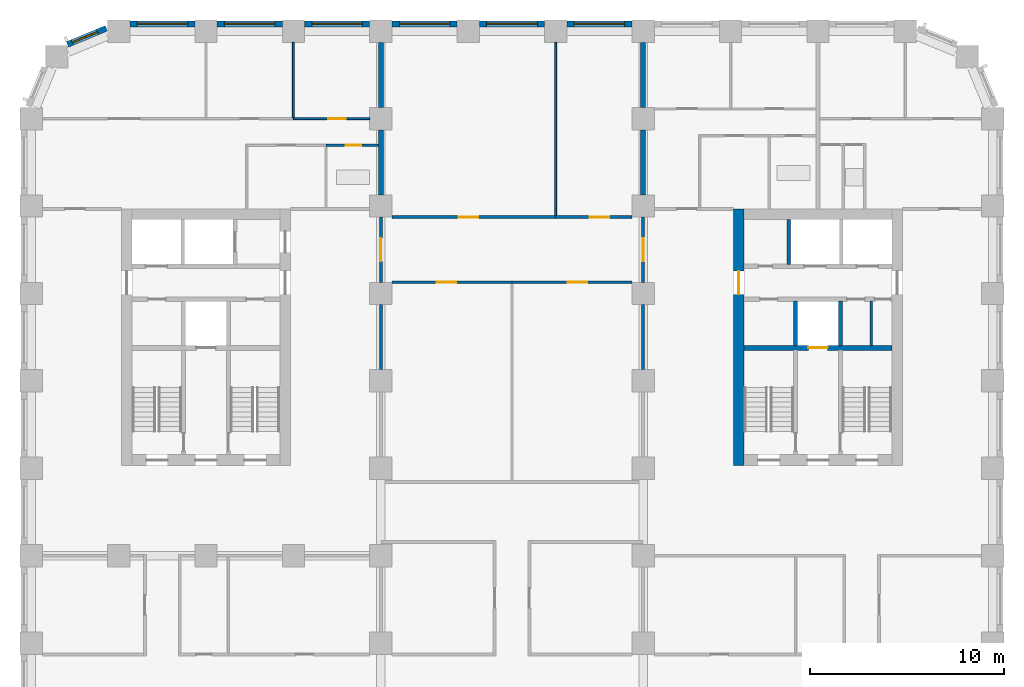
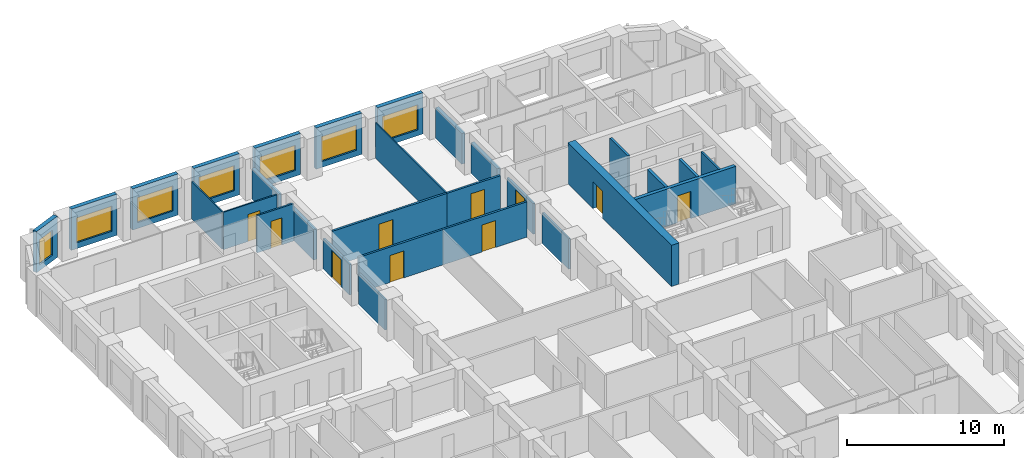
# One storey, part 7 of 12: 29 walls, 10 doors, 7 windows, 17 openings.
"""IFC4 building model written with IfcOpenShell, lengths in metres."""

from ifc_helpers import new_model, si_unit, direction, frame, frame_2d, origin, place, context, subcontext, project, spatial, rectangle, extrude, material, layer, layer_set, type_object, element, fill, save


model = new_model("IFC4")

# Units and contexts
model_context = context("Model", 3, precision=1e-05, world=origin(), true_north=direction((0.0, 1.0)))
body_context = subcontext(model_context, "Body", "Model", "MODEL_VIEW")
ifc_project = project(units=[si_unit("LENGTHUNIT", "METRE"), si_unit("AREAUNIT", "SQUARE_METRE"), si_unit("VOLUMEUNIT", "CUBIC_METRE"), si_unit("PLANEANGLEUNIT", "RADIAN"), si_unit("MASSUNIT", "GRAM", prefix="KILO")], contexts=[model_context])

# Site, building, storey
site_placement = place(None, origin())
site = spatial("IfcSite", under=ifc_project, at=site_placement, CompositionType="ELEMENT")
building_placement = place(site_placement, origin())
building = spatial("IfcBuilding", under=site, at=building_placement, Name="Girih Gate Residences", CompositionType="ELEMENT")
storey_placement = place(building_placement, frame((0.0, 0.0, 118.39990234375)))
storey = spatial("IfcBuildingStorey", under=building, at=storey_placement, Name="L33", CompositionType="ELEMENT", Elevation=118.39990234375)

# Walls
ifc_material_1 = material(Name="Gypsum board on steel studs", Category="steel")
ifc_layer_1 = layer(ifc_material_1, 0.25)
ifc_layer_set_1 = layer_set([ifc_layer_1], Name="Acoustic separating wall 250 mm")
wall_type_1 = type_object("IfcWallType", Name="Acoustic separating wall 250 mm", PredefinedType="PARTITIONING", material=ifc_layer_set_1)
for number, where, z_axis, x_axis, name in (
    (1, (18.0, 41.074951171875, 0.0), (0.0, 0.0, 1.0), (0.0, 1.0, 0.0), "L33 partition"),
    (2, (18.0, 45.574951171875, 0.0), (0.0, 0.0, 1.0), (0.0, 1.0, 0.0), "L33 partition"),
    (3, (31.5, 41.074951171875, 0.0), (0.0, 0.0, 1.0), (0.0, 1.0, 0.0), "L33 partition"),
    (4, (31.5, 45.574951171875, 0.0), (0.0, 0.0, 1.0), (0.0, 1.0, 0.0), "L33 partition"),
):
    element("IfcWall", number, at=place(storey_placement, frame(where, z_axis=z_axis, x_axis=x_axis)), inside=storey, type_object=wall_type_1, Name=name, PredefinedType="PARTITIONING", context=body_context, shape_type="SweptSolid", body=[
        extrude(rectangle(XDim=3.35009765625, YDim=0.25, at=frame_2d((1.675048828125, 0.0))), origin(), (0.0, 0.0, 1.0), 2.380126953125),
    ])

# Wall, opening, door
ifc_layer_2 = layer(ifc_material_1, 0.14990234375)
ifc_layer_set_2 = layer_set([ifc_layer_2], Name="Compartment wall 150 mm")
wall_type_2 = type_object("IfcWallType", Name="Compartment wall 150 mm", PredefinedType="PARTITIONING", material=ifc_layer_set_2)
wall_1_placement = place(storey_placement, frame((18.574951171875, 39.925048828125, 0.0), z_axis=(0.0, 0.0, 1.0), x_axis=(1.0, 0.0, 0.0)))
wall_1 = element("IfcWall", 5, at=wall_1_placement, inside=storey, type_object=wall_type_2, Name="L33 partition", PredefinedType="PARTITIONING", context=body_context, shape_type="SweptSolid", body=[
    extrude(rectangle(XDim=8.425048828125, YDim=0.14990234375, at=frame_2d((4.21240234375, 0.0))), origin(), (0.0, 0.0, 1.0), 2.75),
])
opening_1_placement = place(wall_1_placement, frame((3.425048828125, 0.0, 0.0)))
opening_1 = element("IfcOpeningElement", 6, at=opening_1_placement, cuts=wall_1, Name="Opening A33-034", PredefinedType="OPENING", context=body_context, shape_type="SweptSolid", body=[
    extrude(rectangle(XDim=1.0, YDim=2.10009765625, at=frame_2d((0.5, 1.050048828125))), frame((0.0, 0.0849609375, 0.0), z_axis=(0.0, -1.0, 0.0), x_axis=(1.0, 0.0, 0.0)), (0.0, 0.0, 1.0), 0.169921875),
])
ifc_material_2 = material(Name="Timber, fire-rated core", Category="wood")
door_type_1 = type_object("IfcDoorType", Name="Amenity room door 1000x2100 FD30S", OperationType="NOTDEFINED", PredefinedType="DOOR", material=ifc_material_2)
door_1_placement = place(opening_1_placement, origin())
door_1 = element("IfcDoor", 7, at=door_1_placement, inside=storey, type_object=door_type_1, Name="Door A33-034", OperationType="SINGLE_SWING_LEFT", OverallHeight=2.10009765625, OverallWidth=1.0, PredefinedType="DOOR", context=body_context, shape_type="SweptSolid", body=[
    extrude(rectangle(XDim=1.0, YDim=2.10009765625, at=frame_2d((0.5, 1.050048828125))), frame((0.0, 0.02490234375, 0.0), z_axis=(0.0, -1.0, 0.0), x_axis=(1.0, 0.0, 0.0)), (0.0, 0.0, 1.0), 0.050048828125),
])
fill(opening_1, door_1)

wall_2_placement = place(storey_placement, frame((27.0, 39.925048828125, 0.0), z_axis=(0.0, 0.0, 1.0), x_axis=(1.0, 0.0, 0.0)))
wall_2 = element("IfcWall", 8, at=wall_2_placement, inside=storey, type_object=wall_type_2, Name="L33 partition", PredefinedType="PARTITIONING", context=body_context, shape_type="SweptSolid", body=[
    extrude(rectangle(XDim=3.925048828125, YDim=0.14990234375, at=frame_2d((1.96240234375, 0.0))), origin(), (0.0, 0.0, 1.0), 2.75),
])
opening_2_placement = place(wall_2_placement, frame((1.75, 0.0, 0.0)))
opening_2 = element("IfcOpeningElement", 9, at=opening_2_placement, cuts=wall_2, Name="Opening A33-035", PredefinedType="OPENING", context=body_context, shape_type="SweptSolid", body=[
    extrude(rectangle(XDim=1.0, YDim=2.10009765625, at=frame_2d((0.5, 1.050048828125))), frame((0.0, 0.0849609375, 0.0), z_axis=(0.0, -1.0, 0.0), x_axis=(1.0, 0.0, 0.0)), (0.0, 0.0, 1.0), 0.169921875),
])
door_2_placement = place(opening_2_placement, origin())
door_2 = element("IfcDoor", 10, at=door_2_placement, inside=storey, type_object=door_type_1, Name="Door A33-035", OperationType="SINGLE_SWING_RIGHT", OverallHeight=2.10009765625, OverallWidth=1.0, PredefinedType="DOOR", context=body_context, shape_type="SweptSolid", body=[
    extrude(rectangle(XDim=1.0, YDim=2.10009765625, at=frame_2d((0.5, 1.050048828125))), frame((0.0, 0.02490234375, 0.0), z_axis=(0.0, -1.0, 0.0), x_axis=(1.0, 0.0, 0.0)), (0.0, 0.0, 1.0), 0.050048828125),
])
fill(opening_2, door_2)

wall_3_placement = place(storey_placement, frame((24.75, 36.574951171875, 0.0), z_axis=(0.0, 0.0, 1.0), x_axis=(-1.0, 0.0, 0.0)))
wall_3 = element("IfcWall", 11, at=wall_3_placement, inside=storey, type_object=wall_type_2, Name="L33 partition", PredefinedType="PARTITIONING", context=body_context, shape_type="SweptSolid", body=[
    extrude(rectangle(XDim=6.175048828125, YDim=0.14990234375, at=frame_2d((3.08740234375, 0.0))), origin(), (0.0, 0.0, 1.0), 2.75),
])
opening_3_placement = place(wall_3_placement, frame((2.875, 0.0, 0.0)))
opening_3 = element("IfcOpeningElement", 12, at=opening_3_placement, cuts=wall_3, Name="Opening A33-036", PredefinedType="OPENING", context=body_context, shape_type="SweptSolid", body=[
    extrude(rectangle(XDim=1.0, YDim=2.10009765625, at=frame_2d((0.5, 1.050048828125))), frame((0.0, 0.0849609375, 0.0), z_axis=(0.0, -1.0, 0.0), x_axis=(1.0, 0.0, 0.0)), (0.0, 0.0, 1.0), 0.169921875),
])
door_3_placement = place(opening_3_placement, origin())
door_3 = element("IfcDoor", 13, at=door_3_placement, inside=storey, type_object=door_type_1, Name="Door A33-036", OperationType="SINGLE_SWING_RIGHT", OverallHeight=2.10009765625, OverallWidth=1.0, PredefinedType="DOOR", context=body_context, shape_type="SweptSolid", body=[
    extrude(rectangle(XDim=1.0, YDim=2.10009765625, at=frame_2d((0.5, 1.050048828125))), frame((0.0, 0.02490234375, 0.0), z_axis=(0.0, -1.0, 0.0), x_axis=(1.0, 0.0, 0.0)), (0.0, 0.0, 1.0), 0.050048828125),
])
fill(opening_3, door_3)

wall_4_placement = place(storey_placement, frame((30.925048828125, 36.574951171875, 0.0), z_axis=(0.0, 0.0, 1.0), x_axis=(-1.0, 0.0, 0.0)))
wall_4 = element("IfcWall", 14, at=wall_4_placement, inside=storey, type_object=wall_type_2, Name="L33 partition", PredefinedType="PARTITIONING", context=body_context, shape_type="SweptSolid", body=[
    extrude(rectangle(XDim=6.175048828125, YDim=0.14990234375, at=frame_2d((3.08740234375, 0.0))), origin(), (0.0, 0.0, 1.0), 2.75),
])
opening_4_placement = place(wall_4_placement, frame((2.300048828125, 0.0, 0.0)))
opening_4 = element("IfcOpeningElement", 15, at=opening_4_placement, cuts=wall_4, Name="Opening A33-037", PredefinedType="OPENING", context=body_context, shape_type="SweptSolid", body=[
    extrude(rectangle(XDim=1.0, YDim=2.10009765625, at=frame_2d((0.5, 1.050048828125))), frame((0.0, 0.0849609375, 0.0), z_axis=(0.0, -1.0, 0.0), x_axis=(1.0, 0.0, 0.0)), (0.0, 0.0, 1.0), 0.169921875),
])
door_4_placement = place(opening_4_placement, origin())
door_4 = element("IfcDoor", 16, at=door_4_placement, inside=storey, type_object=door_type_1, Name="Door A33-037", OperationType="SINGLE_SWING_LEFT", OverallHeight=2.10009765625, OverallWidth=1.0, PredefinedType="DOOR", context=body_context, shape_type="SweptSolid", body=[
    extrude(rectangle(XDim=1.0, YDim=2.10009765625, at=frame_2d((0.5, 1.050048828125))), frame((0.0, 0.02490234375, 0.0), z_axis=(0.0, -1.0, 0.0), x_axis=(1.0, 0.0, 0.0)), (0.0, 0.0, 1.0), 0.050048828125),
])
fill(opening_4, door_4)

wall_5_placement = place(storey_placement, frame((31.5, 36.574951171875, 0.0), z_axis=(0.0, 0.0, 1.0), x_axis=(0.0, 1.0, 0.0)))
wall_5 = element("IfcWall", 17, at=wall_5_placement, inside=storey, type_object=wall_type_2, Name="L33 partition", PredefinedType="PARTITIONING", context=body_context, shape_type="SweptSolid", body=[
    extrude(rectangle(XDim=3.35009765625, YDim=0.14990234375, at=frame_2d((1.675048828125, 0.0))), origin(), (0.0, 0.0, 1.0), 2.380126953125),
])
opening_5_placement = place(wall_5_placement, frame((1.074951171875, 0.0, 0.0)))
opening_5 = element("IfcOpeningElement", 18, at=opening_5_placement, cuts=wall_5, Name="Opening A33-038", PredefinedType="OPENING", context=body_context, shape_type="SweptSolid", body=[
    extrude(rectangle(XDim=1.199951171875, YDim=2.10009765625, at=frame_2d((0.60009765625, 1.050048828125))), frame((0.0, 0.0849609375, 0.0), z_axis=(0.0, -1.0, 0.0), x_axis=(1.0, 0.0, 0.0)), (0.0, 0.0, 1.0), 0.169921875),
])
door_type_2 = type_object("IfcDoorType", Name="Corridor fire door 1200x2100 FD30S", OperationType="NOTDEFINED", PredefinedType="DOOR", material=ifc_material_2)
door_5_placement = place(opening_5_placement, origin())
door_5 = element("IfcDoor", 19, at=door_5_placement, inside=storey, type_object=door_type_2, Name="Door A33-038", OperationType="SINGLE_SWING_LEFT", OverallHeight=2.10009765625, OverallWidth=1.199951171875, PredefinedType="DOOR", context=body_context, shape_type="SweptSolid", body=[
    extrude(rectangle(XDim=1.199951171875, YDim=2.10009765625, at=frame_2d((0.60009765625, 1.050048828125))), frame((0.0, 0.02490234375, 0.0), z_axis=(0.0, -1.0, 0.0), x_axis=(1.0, 0.0, 0.0)), (0.0, 0.0, 1.0), 0.050048828125),
])
fill(opening_5, door_5)

wall_6_placement = place(storey_placement, frame((18.0, 39.925048828125, 0.0), z_axis=(0.0, 0.0, 1.0), x_axis=(0.0, -1.0, 0.0)))
wall_6 = element("IfcWall", 20, at=wall_6_placement, inside=storey, type_object=wall_type_2, Name="L33 partition", PredefinedType="PARTITIONING", context=body_context, shape_type="SweptSolid", body=[
    extrude(rectangle(XDim=3.35009765625, YDim=0.14990234375, at=frame_2d((1.675048828125, 0.0))), origin(), (0.0, 0.0, 1.0), 2.380126953125),
])
opening_6_placement = place(wall_6_placement, frame((1.074951171875, 0.0, 0.0)))
opening_6 = element("IfcOpeningElement", 21, at=opening_6_placement, cuts=wall_6, Name="Opening A33-039", PredefinedType="OPENING", context=body_context, shape_type="SweptSolid", body=[
    extrude(rectangle(XDim=1.199951171875, YDim=2.10009765625, at=frame_2d((0.60009765625, 1.050048828125))), frame((0.0, 0.0849609375, 0.0), z_axis=(0.0, -1.0, 0.0), x_axis=(1.0, 0.0, 0.0)), (0.0, 0.0, 1.0), 0.169921875),
])
door_6_placement = place(opening_6_placement, origin())
door_6 = element("IfcDoor", 22, at=door_6_placement, inside=storey, type_object=door_type_2, Name="Door A33-039", OperationType="SINGLE_SWING_LEFT", OverallHeight=2.10009765625, OverallWidth=1.199951171875, PredefinedType="DOOR", context=body_context, shape_type="SweptSolid", body=[
    extrude(rectangle(XDim=1.199951171875, YDim=2.10009765625, at=frame_2d((0.60009765625, 1.050048828125))), frame((0.0, 0.02490234375, 0.0), z_axis=(0.0, -1.0, 0.0), x_axis=(1.0, 0.0, 0.0)), (0.0, 0.0, 1.0), 0.050048828125),
])
fill(opening_6, door_6)

# Walls
for number, where, z_axis, x_axis, name in (
    (23, (18.0, 32.074951171875, 0.0), (0.0, 0.0, 1.0), (0.0, 1.0, 0.0), "L33 partition"),
    (24, (31.5, 32.074951171875, 0.0), (0.0, 0.0, 1.0), (0.0, 1.0, 0.0), "L33 partition"),
):
    element("IfcWall", number, at=place(storey_placement, frame(where, z_axis=z_axis, x_axis=x_axis)), inside=storey, type_object=wall_type_2, Name=name, PredefinedType="PARTITIONING", context=body_context, shape_type="SweptSolid", body=[
        extrude(rectangle(XDim=3.35009765625, YDim=0.14990234375, at=frame_2d((1.675048828125, 0.0))), origin(), (0.0, 0.0, 1.0), 2.380126953125),
    ])

# Wall, opening, door
ifc_material_3 = material(Name="Concrete C60/75", Category="concrete")
ifc_layer_3 = layer(ifc_material_3, 0.550048828125)
ifc_layer_set_3 = layer_set([ifc_layer_3], Name="Core wall RC 550 Concrete C60/75")
wall_type_3 = type_object("IfcWallType", Name="Core wall RC 550 Concrete C60/75", PredefinedType="SOLIDWALL", material=ifc_layer_set_3)
wall_7_placement = place(storey_placement, frame((36.425048828125, 27.14990234375, 0.0), z_axis=(0.0, 0.0, 1.0), x_axis=(0.0, 1.0, 0.0)))
wall_7 = element("IfcWall", 25, at=wall_7_placement, inside=storey, type_object=wall_type_3, Name="Core wall E-W L33", PredefinedType="SOLIDWALL", context=body_context, shape_type="SweptSolid", body=[
    extrude(rectangle(XDim=13.2001953125, YDim=0.550048828125, at=frame_2d((6.60009765625, 0.0))), origin(), (0.0, 0.0, 1.0), 3.2001953125),
])
opening_7_placement = place(wall_7_placement, frame((8.800048828125, 0.0, 0.0)))
opening_7 = element("IfcOpeningElement", 26, at=opening_7_placement, cuts=wall_7, Name="Opening D-L33-E-013", PredefinedType="OPENING", context=body_context, shape_type="SweptSolid", body=[
    extrude(rectangle(XDim=1.199951171875, YDim=2.10009765625, at=frame_2d((0.60009765625, 1.050048828125))), frame((0.0, 0.284912109375, 0.0), z_axis=(0.0, -1.0, 0.0), x_axis=(1.0, 0.0, 0.0)), (0.0, 0.0, 1.0), 0.570068359375),
])
ifc_material_4 = material(Name="Painted steel, fire-resisting", Category="steel")
door_type_3 = type_object("IfcDoorType", Name="Fire door 1200x2100", OperationType="SINGLE_SWING_LEFT", PredefinedType="DOOR", material=ifc_material_4)
door_7_placement = place(opening_7_placement, origin())
door_7 = element("IfcDoor", 27, at=door_7_placement, inside=storey, type_object=door_type_3, Name="L33 E core door ll-w", OperationType="SINGLE_SWING_LEFT", OverallHeight=2.10009765625, OverallWidth=1.199951171875, PredefinedType="DOOR", context=body_context, shape_type="SweptSolid", body=[
    extrude(rectangle(XDim=1.199951171875, YDim=2.10009765625, at=frame_2d((0.60009765625, 1.050048828125))), frame((0.0, 0.02490234375, 0.0), z_axis=(0.0, -1.0, 0.0), x_axis=(1.0, 0.0, 0.0)), (0.0, 0.0, 1.0), 0.050048828125),
])
fill(opening_7, door_7)

ifc_material_5 = material(Name="Concrete C40/50", Category="concrete")
ifc_layer_4 = layer(ifc_material_5, 0.25)
ifc_layer_set_4 = layer_set([ifc_layer_4], Name="Lift shaft wall 250")
wall_type_4 = type_object("IfcWallType", Name="Lift shaft wall 250", PredefinedType="SOLIDWALL", material=ifc_layer_set_4)
wall_8_placement = place(storey_placement, frame((36.699951171875, 33.199951171875, 0.0), z_axis=(0.0, 0.0, 1.0), x_axis=(1.0, 0.0, 0.0)))
wall_8 = element("IfcWall", 28, at=wall_8_placement, inside=storey, type_object=wall_type_4, Name="L33 E core wall H1", PredefinedType="SOLIDWALL", context=body_context, shape_type="SweptSolid", body=[
    extrude(rectangle(XDim=7.60009765625, YDim=0.25, at=frame_2d((3.800048828125, 0.0))), origin(), (0.0, 0.0, 1.0), 2.900146484375),
])
opening_8_placement = place(wall_8_placement, frame((3.300048828125, 0.0, 0.0)))
opening_8 = element("IfcOpeningElement", 29, at=opening_8_placement, cuts=wall_8, Name="Opening D-L33-E-005", PredefinedType="OPENING", context=body_context, shape_type="SweptSolid", body=[
    extrude(rectangle(XDim=1.0, YDim=2.10009765625, at=frame_2d((0.5, 1.050048828125))), frame((0.0, 0.135009765625, 0.0), z_axis=(0.0, -1.0, 0.0), x_axis=(1.0, 0.0, 0.0)), (0.0, 0.0, 1.0), 0.27001953125),
])
ifc_material_6 = material(Name="Stainless steel, fire-resisting", Category="steel")
door_type_4 = type_object("IfcDoorType", Name="Firefighting lift landing door 1000x2100", OperationType="SLIDING_TO_LEFT", PredefinedType="DOOR", material=ifc_material_6)
door_8_placement = place(opening_8_placement, origin())
door_8 = element("IfcDoor", 30, at=door_8_placement, inside=storey, type_object=door_type_4, Name="L33 lift FF-E landing door", OperationType="SLIDING_TO_LEFT", OverallHeight=2.10009765625, OverallWidth=1.0, PredefinedType="DOOR", context=body_context, shape_type="SweptSolid", body=[
    extrude(rectangle(XDim=1.0, YDim=2.10009765625, at=frame_2d((0.5, 1.050048828125))), frame((0.0, 0.02490234375, 0.0), z_axis=(0.0, -1.0, 0.0), x_axis=(1.0, 0.0, 0.0)), (0.0, 0.0, 1.0), 0.050048828125),
])
fill(opening_8, door_8)

# Wall
ifc_layer_5 = layer(ifc_material_1, 0.10009765625)
ifc_layer_set_5 = layer_set([ifc_layer_5], Name="Partition 100 mm")
wall_type_5 = type_object("IfcWallType", Name="Partition 100 mm", PredefinedType="PARTITIONING", material=ifc_layer_set_5)
wall_9_placement = place(storey_placement, frame((13.5, 45.050048828125, 0.0), z_axis=(0.0, 0.0, 1.0), x_axis=(0.0, 1.0, 0.0)))
element("IfcWall", 31, at=wall_9_placement, inside=storey, type_object=wall_type_5, Name="L33 partition", PredefinedType="PARTITIONING", context=body_context, shape_type="SweptSolid", body=[
    extrude(rectangle(XDim=3.875, YDim=0.10009765625, at=frame_2d((1.9375, 0.0))), origin(), (0.0, 0.0, 1.0), 2.900146484375),
])

# Wall, opening, door
wall_10_placement = place(storey_placement, frame((13.5, 45.0, 0.0), z_axis=(0.0, 0.0, 1.0), x_axis=(1.0, 0.0, 0.0)))
wall_10 = element("IfcWall", 32, at=wall_10_placement, inside=storey, type_object=wall_type_5, Name="L33 partition", PredefinedType="PARTITIONING", context=body_context, shape_type="SweptSolid", body=[
    extrude(rectangle(XDim=3.925048828125, YDim=0.10009765625, at=frame_2d((1.96240234375, 0.0))), origin(), (0.0, 0.0, 1.0), 2.900146484375),
])
opening_9_placement = place(wall_10_placement, frame((1.800048828125, 0.0, 0.0)))
opening_9 = element("IfcOpeningElement", 33, at=opening_9_placement, cuts=wall_10, Name="Opening A33-010", PredefinedType="OPENING", context=body_context, shape_type="SweptSolid", body=[
    extrude(rectangle(XDim=0.89990234375, YDim=2.10009765625, at=frame_2d((0.449951171875, 1.050048828125))), frame((0.0, 0.06005859375, 0.0), z_axis=(0.0, -1.0, 0.0), x_axis=(1.0, 0.0, 0.0)), (0.0, 0.0, 1.0), 0.1201171875),
])
ifc_material_7 = material(Name="Timber", Category="wood")
door_type_5 = type_object("IfcDoorType", Name="Bedroom door 900x2100", OperationType="NOTDEFINED", PredefinedType="DOOR", material=ifc_material_7)
door_9_placement = place(opening_9_placement, origin())
door_9 = element("IfcDoor", 34, at=door_9_placement, inside=storey, type_object=door_type_5, Name="Door A33-010", OperationType="SINGLE_SWING_RIGHT", OverallHeight=2.10009765625, OverallWidth=0.89990234375, PredefinedType="DOOR", context=body_context, shape_type="SweptSolid", body=[
    extrude(rectangle(XDim=0.89990234375, YDim=2.10009765625, at=frame_2d((0.449951171875, 1.050048828125))), frame((0.0, 0.02490234375, 0.0), z_axis=(0.0, -1.0, 0.0), x_axis=(1.0, 0.0, 0.0)), (0.0, 0.0, 1.0), 0.050048828125),
])
fill(opening_9, door_9)

# Wall
wall_11_placement = place(storey_placement, frame((27.0, 40.0, 0.0), z_axis=(0.0, 0.0, 1.0), x_axis=(0.0, 1.0, 0.0)))
element("IfcWall", 35, at=wall_11_placement, inside=storey, type_object=wall_type_5, Name="L33 partition", PredefinedType="PARTITIONING", context=body_context, shape_type="SweptSolid", body=[
    extrude(rectangle(XDim=8.925048828125, YDim=0.10009765625, at=frame_2d((4.46240234375, 0.0))), origin(), (0.0, 0.0, 1.0), 2.75),
])

# Wall, opening, window
ifc_material_8 = material(Name="Precast concrete C50/60", Category="concrete")
ifc_layer_6 = layer(ifc_material_8, 0.080078125, Name="Outer leaf")
ifc_material_9 = material(Name="Rigid PIR insulation")
ifc_layer_7 = layer(ifc_material_9, 0.14990234375, Name="Insulation")
ifc_material_10 = material(Name="Precast concrete C40/50", Category="concrete")
ifc_layer_8 = layer(ifc_material_10, 0.070068359375, Name="Inner leaf")
ifc_layer_set_6 = layer_set([ifc_layer_6, ifc_layer_7, ifc_layer_8], Name="Precast concrete C50/60 external wall 300")
wall_type_6 = type_object("IfcWallType", Name="Precast concrete C50/60 external wall 300", PredefinedType="SOLIDWALL", material=ifc_layer_set_6)
wall_12_placement = place(storey_placement, frame((27.574951171875, 49.875, 0.0), z_axis=(0.0, 0.0, 1.0), x_axis=(1.0, 0.0, 0.0)))
wall_12 = element("IfcWall", 36, at=wall_12_placement, inside=storey, type_object=wall_type_6, Name="External wall N0450_0495.3", PredefinedType="SOLIDWALL", context=body_context, shape_type="SweptSolid", body=[
    extrude(rectangle(XDim=3.35009765625, YDim=0.300048828125, at=frame_2d((1.675048828125, 0.0))), origin(), (0.0, 0.0, 1.0), 3.2001953125),
])
opening_10_placement = place(wall_12_placement, frame((0.375, 0.0, 0.449951171875)))
opening_10 = element("IfcOpeningElement", 37, at=opening_10_placement, cuts=wall_12, Name="Opening W-1A", PredefinedType="OPENING", context=body_context, shape_type="SweptSolid", body=[
    extrude(rectangle(XDim=2.60009765625, YDim=1.949951171875, at=frame_2d((1.300048828125, 0.97509765625))), frame((0.0, 0.159912109375, 0.0), z_axis=(0.0, -1.0, 0.0), x_axis=(1.0, 0.0, 0.0)), (0.0, 0.0, 1.0), 0.320068359375),
])
ifc_material_11 = material(Name="Double glazing in aluminium frame", Category="aluminium")
window_type_1 = type_object("IfcWindowType", Name="Window W-1A 2600x1950", PartitioningType="SINGLE_PANEL", PredefinedType="WINDOW", material=ifc_material_11)
window_1_placement = place(opening_10_placement, origin())
window_1 = element("IfcWindow", 38, at=window_1_placement, inside=storey, type_object=window_type_1, Name="Window W-1A N0450_0495.3", OverallHeight=1.949951171875, OverallWidth=2.60009765625, PartitioningType="SINGLE_PANEL", PredefinedType="WINDOW", context=body_context, shape_type="SweptSolid", body=[
    extrude(rectangle(XDim=2.60009765625, YDim=1.949951171875, at=frame_2d((1.300048828125, 0.97509765625))), frame((0.0, 0.030029296875, 0.0), z_axis=(0.0, -1.0, 0.0), x_axis=(1.0, 0.0, 0.0)), (0.0, 0.0, 1.0), 0.06005859375),
])
fill(opening_10, window_1)

wall_13_placement = place(storey_placement, frame((23.074951171875, 49.875, 0.0), z_axis=(0.0, 0.0, 1.0), x_axis=(1.0, 0.0, 0.0)))
wall_13 = element("IfcWall", 39, at=wall_13_placement, inside=storey, type_object=wall_type_6, Name="External wall N0450_0495.4", PredefinedType="SOLIDWALL", context=body_context, shape_type="SweptSolid", body=[
    extrude(rectangle(XDim=3.35009765625, YDim=0.300048828125, at=frame_2d((1.675048828125, 0.0))), origin(), (0.0, 0.0, 1.0), 3.2001953125),
])
opening_11_placement = place(wall_13_placement, frame((0.375, 0.0, 0.449951171875)))
opening_11 = element("IfcOpeningElement", 40, at=opening_11_placement, cuts=wall_13, Name="Opening W-1A", PredefinedType="OPENING", context=body_context, shape_type="SweptSolid", body=[
    extrude(rectangle(XDim=2.60009765625, YDim=1.949951171875, at=frame_2d((1.300048828125, 0.97509765625))), frame((0.0, 0.159912109375, 0.0), z_axis=(0.0, -1.0, 0.0), x_axis=(1.0, 0.0, 0.0)), (0.0, 0.0, 1.0), 0.320068359375),
])
window_2_placement = place(opening_11_placement, origin())
window_2 = element("IfcWindow", 41, at=window_2_placement, inside=storey, type_object=window_type_1, Name="Window W-1A N0450_0495.4", OverallHeight=1.949951171875, OverallWidth=2.60009765625, PartitioningType="SINGLE_PANEL", PredefinedType="WINDOW", context=body_context, shape_type="SweptSolid", body=[
    extrude(rectangle(XDim=2.60009765625, YDim=1.949951171875, at=frame_2d((1.300048828125, 0.97509765625))), frame((0.0, 0.030029296875, 0.0), z_axis=(0.0, -1.0, 0.0), x_axis=(1.0, 0.0, 0.0)), (0.0, 0.0, 1.0), 0.06005859375),
])
fill(opening_11, window_2)

wall_14_placement = place(storey_placement, frame((18.574951171875, 49.875, 0.0), z_axis=(0.0, 0.0, 1.0), x_axis=(1.0, 0.0, 0.0)))
wall_14 = element("IfcWall", 42, at=wall_14_placement, inside=storey, type_object=wall_type_6, Name="External wall N0450_0495.5", PredefinedType="SOLIDWALL", context=body_context, shape_type="SweptSolid", body=[
    extrude(rectangle(XDim=3.35009765625, YDim=0.300048828125, at=frame_2d((1.675048828125, 0.0))), origin(), (0.0, 0.0, 1.0), 3.2001953125),
])
opening_12_placement = place(wall_14_placement, frame((0.375, 0.0, 0.449951171875)))
opening_12 = element("IfcOpeningElement", 43, at=opening_12_placement, cuts=wall_14, Name="Opening W-1A", PredefinedType="OPENING", context=body_context, shape_type="SweptSolid", body=[
    extrude(rectangle(XDim=2.60009765625, YDim=1.949951171875, at=frame_2d((1.300048828125, 0.97509765625))), frame((0.0, 0.159912109375, 0.0), z_axis=(0.0, -1.0, 0.0), x_axis=(1.0, 0.0, 0.0)), (0.0, 0.0, 1.0), 0.320068359375),
])
window_3_placement = place(opening_12_placement, origin())
window_3 = element("IfcWindow", 44, at=window_3_placement, inside=storey, type_object=window_type_1, Name="Window W-1A N0450_0495.5", OverallHeight=1.949951171875, OverallWidth=2.60009765625, PartitioningType="SINGLE_PANEL", PredefinedType="WINDOW", context=body_context, shape_type="SweptSolid", body=[
    extrude(rectangle(XDim=2.60009765625, YDim=1.949951171875, at=frame_2d((1.300048828125, 0.97509765625))), frame((0.0, 0.030029296875, 0.0), z_axis=(0.0, -1.0, 0.0), x_axis=(1.0, 0.0, 0.0)), (0.0, 0.0, 1.0), 0.06005859375),
])
fill(opening_12, window_3)

wall_15_placement = place(storey_placement, frame((14.074951171875, 49.875, 0.0), z_axis=(0.0, 0.0, 1.0), x_axis=(1.0, 0.0, 0.0)))
wall_15 = element("IfcWall", 45, at=wall_15_placement, inside=storey, type_object=wall_type_6, Name="External wall N0450_0495.6", PredefinedType="SOLIDWALL", context=body_context, shape_type="SweptSolid", body=[
    extrude(rectangle(XDim=3.35009765625, YDim=0.300048828125, at=frame_2d((1.675048828125, 0.0))), origin(), (0.0, 0.0, 1.0), 3.2001953125),
])
opening_13_placement = place(wall_15_placement, frame((0.375, 0.0, 0.449951171875)))
opening_13 = element("IfcOpeningElement", 46, at=opening_13_placement, cuts=wall_15, Name="Opening W-1A", PredefinedType="OPENING", context=body_context, shape_type="SweptSolid", body=[
    extrude(rectangle(XDim=2.60009765625, YDim=1.949951171875, at=frame_2d((1.300048828125, 0.97509765625))), frame((0.0, 0.159912109375, 0.0), z_axis=(0.0, -1.0, 0.0), x_axis=(1.0, 0.0, 0.0)), (0.0, 0.0, 1.0), 0.320068359375),
])
window_4_placement = place(opening_13_placement, origin())
window_4 = element("IfcWindow", 47, at=window_4_placement, inside=storey, type_object=window_type_1, Name="Window W-1A N0450_0495.6", OverallHeight=1.949951171875, OverallWidth=2.60009765625, PartitioningType="SINGLE_PANEL", PredefinedType="WINDOW", context=body_context, shape_type="SweptSolid", body=[
    extrude(rectangle(XDim=2.60009765625, YDim=1.949951171875, at=frame_2d((1.300048828125, 0.97509765625))), frame((0.0, 0.030029296875, 0.0), z_axis=(0.0, -1.0, 0.0), x_axis=(1.0, 0.0, 0.0)), (0.0, 0.0, 1.0), 0.06005859375),
])
fill(opening_13, window_4)

wall_16_placement = place(storey_placement, frame((9.574951171875, 49.875, 0.0), z_axis=(0.0, 0.0, 1.0), x_axis=(1.0, 0.0, 0.0)))
wall_16 = element("IfcWall", 48, at=wall_16_placement, inside=storey, type_object=wall_type_6, Name="External wall N0450_0495.7", PredefinedType="SOLIDWALL", context=body_context, shape_type="SweptSolid", body=[
    extrude(rectangle(XDim=3.35009765625, YDim=0.300048828125, at=frame_2d((1.675048828125, 0.0))), origin(), (0.0, 0.0, 1.0), 3.2001953125),
])
opening_14_placement = place(wall_16_placement, frame((0.375, 0.0, 0.449951171875)))
opening_14 = element("IfcOpeningElement", 49, at=opening_14_placement, cuts=wall_16, Name="Opening W-1A", PredefinedType="OPENING", context=body_context, shape_type="SweptSolid", body=[
    extrude(rectangle(XDim=2.60009765625, YDim=1.949951171875, at=frame_2d((1.300048828125, 0.97509765625))), frame((0.0, 0.159912109375, 0.0), z_axis=(0.0, -1.0, 0.0), x_axis=(1.0, 0.0, 0.0)), (0.0, 0.0, 1.0), 0.320068359375),
])
window_5_placement = place(opening_14_placement, origin())
window_5 = element("IfcWindow", 50, at=window_5_placement, inside=storey, type_object=window_type_1, Name="Window W-1A N0450_0495.7", OverallHeight=1.949951171875, OverallWidth=2.60009765625, PartitioningType="SINGLE_PANEL", PredefinedType="WINDOW", context=body_context, shape_type="SweptSolid", body=[
    extrude(rectangle(XDim=2.60009765625, YDim=1.949951171875, at=frame_2d((1.300048828125, 0.97509765625))), frame((0.0, 0.030029296875, 0.0), z_axis=(0.0, -1.0, 0.0), x_axis=(1.0, 0.0, 0.0)), (0.0, 0.0, 1.0), 0.06005859375),
])
fill(opening_14, window_5)

wall_17_placement = place(storey_placement, frame((5.074951171875, 49.875, 0.0), z_axis=(0.0, 0.0, 1.0), x_axis=(1.0, 0.0, 0.0)))
wall_17 = element("IfcWall", 51, at=wall_17_placement, inside=storey, type_object=wall_type_6, Name="External wall N0450_0495.8", PredefinedType="SOLIDWALL", context=body_context, shape_type="SweptSolid", body=[
    extrude(rectangle(XDim=3.35009765625, YDim=0.300048828125, at=frame_2d((1.675048828125, 0.0))), origin(), (0.0, 0.0, 1.0), 3.2001953125),
])
opening_15_placement = place(wall_17_placement, frame((0.375, 0.0, 0.449951171875)))
opening_15 = element("IfcOpeningElement", 52, at=opening_15_placement, cuts=wall_17, Name="Opening W-1A", PredefinedType="OPENING", context=body_context, shape_type="SweptSolid", body=[
    extrude(rectangle(XDim=2.60009765625, YDim=1.949951171875, at=frame_2d((1.300048828125, 0.97509765625))), frame((0.0, 0.159912109375, 0.0), z_axis=(0.0, -1.0, 0.0), x_axis=(1.0, 0.0, 0.0)), (0.0, 0.0, 1.0), 0.320068359375),
])
window_6_placement = place(opening_15_placement, origin())
window_6 = element("IfcWindow", 53, at=window_6_placement, inside=storey, type_object=window_type_1, Name="Window W-1A N0450_0495.8", OverallHeight=1.949951171875, OverallWidth=2.60009765625, PartitioningType="SINGLE_PANEL", PredefinedType="WINDOW", context=body_context, shape_type="SweptSolid", body=[
    extrude(rectangle(XDim=2.60009765625, YDim=1.949951171875, at=frame_2d((1.300048828125, 0.97509765625))), frame((0.0, 0.030029296875, 0.0), z_axis=(0.0, -1.0, 0.0), x_axis=(1.0, 0.0, 0.0)), (0.0, 0.0, 1.0), 0.06005859375),
])
fill(opening_15, window_6)

wall_18_placement = place(storey_placement, frame((1.86865234375, 48.81591796875, 0.0), z_axis=(0.0, 0.0, 1.0), x_axis=(0.923862802911, 0.382723818695, 0.0)))
wall_18 = element("IfcWall", 54, at=wall_18_placement, inside=storey, type_object=wall_type_6, Name="External wall NW0045_0495.0", PredefinedType="SOLIDWALL", context=body_context, shape_type="SweptSolid", body=[
    extrude(rectangle(XDim=2.163818359375, YDim=0.300048828125, at=frame_2d((1.08203125, 0.0))), origin(), (0.0, 0.0, 1.0), 3.2001953125),
])
opening_16_placement = place(wall_18_placement, frame((0.270751953125, 0.0, 0.449951171875)))
opening_16 = element("IfcOpeningElement", 55, at=opening_16_placement, cuts=wall_18, Name="Opening W-2D", PredefinedType="OPENING", context=body_context, shape_type="SweptSolid", body=[
    extrude(rectangle(XDim=1.39990234375, YDim=1.949951171875, at=frame_2d((0.699951171875, 0.97509765625))), frame((0.0, 0.159912109375, 0.0), z_axis=(0.0, -1.0, 0.0), x_axis=(1.0, 0.0, 0.0)), (0.0, 0.0, 1.0), 0.320068359375),
])
window_type_2 = type_object("IfcWindowType", Name="Window W-2D 1400x1950", PartitioningType="SINGLE_PANEL", PredefinedType="WINDOW", material=ifc_material_11)
window_7_placement = place(opening_16_placement, origin())
window_7 = element("IfcWindow", 56, at=window_7_placement, inside=storey, type_object=window_type_2, Name="Window W-2D NW0045_0495.0", OverallHeight=1.949951171875, OverallWidth=1.39990234375, PartitioningType="SINGLE_PANEL", PredefinedType="WINDOW", context=body_context, shape_type="SweptSolid", body=[
    extrude(rectangle(XDim=1.39990234375, YDim=1.949951171875, at=frame_2d((0.699951171875, 0.97509765625))), frame((0.0, 0.030029296875, 0.0), z_axis=(0.0, -1.0, 0.0), x_axis=(1.0, 0.0, 0.0)), (0.0, 0.0, 1.0), 0.06005859375),
])
fill(opening_16, window_7)

# Walls
ifc_layer_9 = layer(ifc_material_5, 0.175048828125)
ifc_layer_set_7 = layer_set([ifc_layer_9], Name="Riser shaft wall 175")
wall_type_7 = type_object("IfcWallType", Name="Riser shaft wall 175", PredefinedType="SOLIDWALL", material=ifc_layer_set_7)
wall_19_placement = place(storey_placement, frame((39.0, 37.5, 0.0), z_axis=(0.0, 0.0, 1.0), x_axis=(0.0, 1.0, 0.0)))
element("IfcWall", 57, at=wall_19_placement, inside=storey, type_object=wall_type_7, Name="L33 E core wall V2c", PredefinedType="SOLIDWALL", context=body_context, shape_type="SweptSolid", body=[
    extrude(rectangle(XDim=2.300048828125, YDim=0.175048828125, at=frame_2d((1.14990234375, 0.0))), origin(), (0.0, 0.0, 1.0), 2.900146484375),
])
ifc_layer_10 = layer(ifc_material_5, 0.199951171875)
ifc_layer_set_8 = layer_set([ifc_layer_10], Name="Shaft wall 200")
wall_type_8 = type_object("IfcWallType", Name="Shaft wall 200", PredefinedType="SOLIDWALL", material=ifc_layer_set_8)
for number, where, z_axis, x_axis, name in (
    (58, (41.64990234375, 33.300048828125, 0.0), (0.0, 0.0, 1.0), (0.0, 1.0, 0.0), "L33 E core wall V1b"),
    (59, (39.35009765625, 33.300048828125, 0.0), (0.0, 0.0, 1.0), (0.0, 1.0, 0.0), "L33 E core wall V2b"),
):
    element("IfcWall", number, at=place(storey_placement, frame(where, z_axis=z_axis, x_axis=x_axis)), inside=storey, type_object=wall_type_8, Name=name, PredefinedType="SOLIDWALL", context=body_context, shape_type="SweptSolid", body=[
        extrude(rectangle(XDim=2.300048828125, YDim=0.199951171875, at=frame_2d((1.14990234375, 0.0))), origin(), (0.0, 0.0, 1.0), 2.900146484375),
    ])
ifc_material_12 = material(Name="Calcium silicate blockwork", Category="masonry")
ifc_layer_11 = layer(ifc_material_12, 0.125)
ifc_layer_set_9 = layer_set([ifc_layer_11], Name="Store partition 125")
wall_type_9 = type_object("IfcWallType", Name="Store partition 125", PredefinedType="PARTITIONING", material=ifc_layer_set_9)
wall_20_placement = place(storey_placement, frame((43.25, 33.300048828125, 0.0), z_axis=(0.0, 0.0, 1.0), x_axis=(0.0, 1.0, 0.0)))
element("IfcWall", 60, at=wall_20_placement, inside=storey, type_object=wall_type_9, Name="L33 E core wall SHR1", PredefinedType="PARTITIONING", context=body_context, shape_type="SweptSolid", body=[
    extrude(rectangle(XDim=2.300048828125, YDim=0.125, at=frame_2d((1.14990234375, 0.0))), origin(), (0.0, 0.0, 1.0), 2.900146484375),
])

# Wall, opening, door
ifc_layer_12 = layer(ifc_material_1, 0.125)
ifc_layer_set_10 = layer_set([ifc_layer_12], Name="Wet room wall 125 mm")
wall_type_10 = type_object("IfcWallType", Name="Wet room wall 125 mm", PredefinedType="PARTITIONING", material=ifc_layer_set_10)
wall_21_placement = place(storey_placement, frame((17.875, 43.6201171875, 0.0), z_axis=(0.0, 0.0, 1.0), x_axis=(-1.0, 0.0, 0.0)))
wall_21 = element("IfcWall", 61, at=wall_21_placement, inside=storey, type_object=wall_type_10, Name="L33 partition", PredefinedType="PARTITIONING", context=body_context, shape_type="SweptSolid", body=[
    extrude(rectangle(XDim=2.7001953125, YDim=0.125, at=frame_2d((1.35009765625, 0.0))), origin(), (0.0, 0.0, 1.0), 2.900146484375),
])
opening_17_placement = place(wall_21_placement, frame((0.8876953125, 0.0, 0.0)))
opening_17 = element("IfcOpeningElement", 62, at=opening_17_placement, cuts=wall_21, Name="Opening A33-008", PredefinedType="OPENING", context=body_context, shape_type="SweptSolid", body=[
    extrude(rectangle(XDim=0.800048828125, YDim=2.10009765625, at=frame_2d((0.39990234375, 1.050048828125))), frame((0.0, 0.072509765625, 0.0), z_axis=(0.0, -1.0, 0.0), x_axis=(1.0, 0.0, 0.0)), (0.0, 0.0, 1.0), 0.14501953125),
])
door_type_6 = type_object("IfcDoorType", Name="Bathroom door 800x2100", OperationType="NOTDEFINED", PredefinedType="DOOR", material=ifc_material_7)
door_10_placement = place(opening_17_placement, origin())
door_10 = element("IfcDoor", 63, at=door_10_placement, inside=storey, type_object=door_type_6, Name="Door A33-008", OperationType="SINGLE_SWING_LEFT", OverallHeight=2.10009765625, OverallWidth=0.800048828125, PredefinedType="DOOR", context=body_context, shape_type="SweptSolid", body=[
    extrude(rectangle(XDim=0.800048828125, YDim=2.10009765625, at=frame_2d((0.39990234375, 1.050048828125))), frame((0.0, 0.02490234375, 0.0), z_axis=(0.0, -1.0, 0.0), x_axis=(1.0, 0.0, 0.0)), (0.0, 0.0, 1.0), 0.050048828125),
])
fill(opening_17, door_10)

save(model, "model.ifc")
